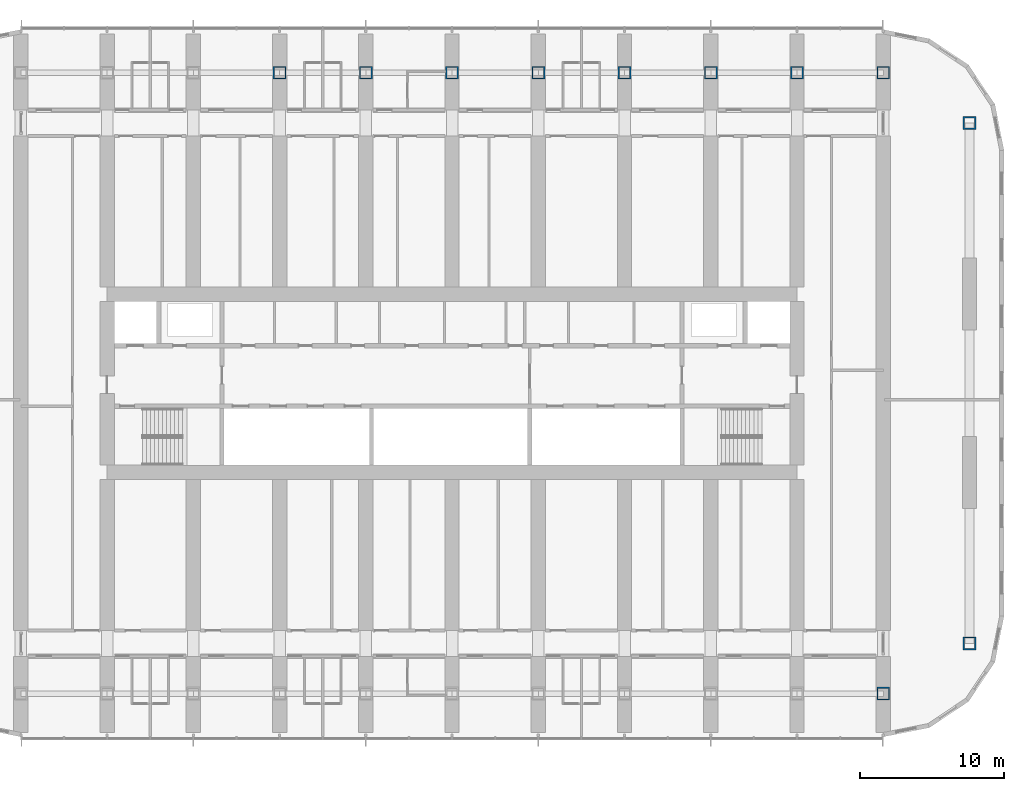
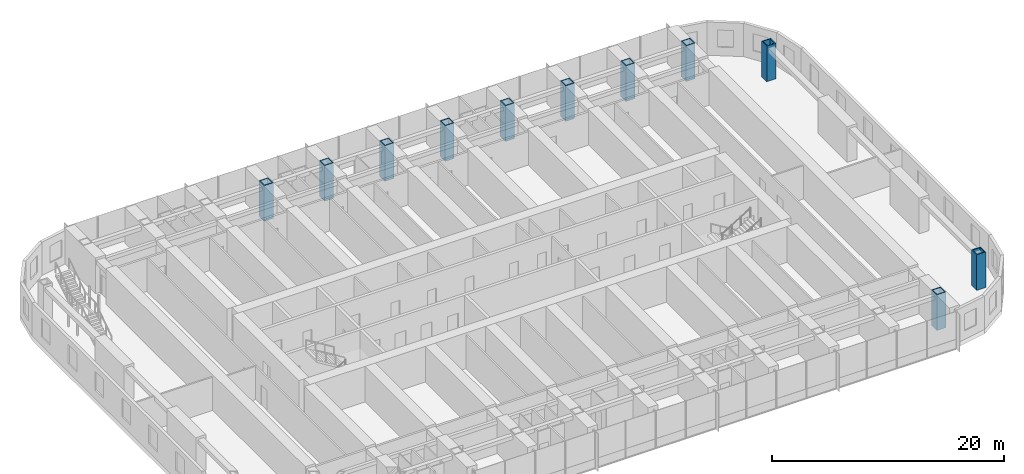
# One storey, part 3 of 26: 11 columns.
"""IFC4 building model written with IfcOpenShell, lengths in metres."""

from ifc_helpers import new_model, si_unit, direction, frame, origin, origin_2d, place, context, subcontext, project, spatial, hollow_rectangle, extrude, material, material_profile, profile_set, type_object, element, save


model = new_model("IFC4")

# Units and contexts
model_context = context("Model", 3, precision=1e-05, world=origin(), true_north=direction((0.0, 1.0)))
body_context = subcontext(model_context, "Body", "Model", "MODEL_VIEW")
ifc_project = project(units=[si_unit("LENGTHUNIT", "METRE"), si_unit("AREAUNIT", "SQUARE_METRE"), si_unit("VOLUMEUNIT", "CUBIC_METRE"), si_unit("PLANEANGLEUNIT", "RADIAN"), si_unit("MASSUNIT", "GRAM", prefix="KILO")], contexts=[model_context])

# Site, building, storey
site_placement = place(None, origin())
site = spatial("IfcSite", under=ifc_project, at=site_placement, CompositionType="ELEMENT")
building_placement = place(site_placement, origin())
building = spatial("IfcBuilding", under=site, at=building_placement, Name="Orbita Commons", CompositionType="ELEMENT")
storey_placement = place(building_placement, frame((0.0, 0.0, 53.949951171875)))
storey = spatial("IfcBuildingStorey", under=building, at=storey_placement, Name="L13", CompositionType="ELEMENT", Elevation=53.949951171875)

# Columns
ifc_material = material(Name="Steel ASTM A572 Gr 50 welded plate", Category="steel")
ifc_material_profile = material_profile(ifc_material, hollow_rectangle(XDim=0.89990234375, YDim=0.89990234375, WallThickness=0.090087890625, at=origin_2d()), Name="BOX 900x900x90")
ifc_profile_set = profile_set([ifc_material_profile], Name="Steel ASTM A572 Gr 50 welded plate")
column_type = type_object("IfcColumnType", Name="Steel column BOX 900x900x90", PredefinedType="COLUMN", material=ifc_profile_set)
for number, where, z_axis, x_axis, name in (
    (1, (30.0, 53.60009765625, 0.0), (0.0, 0.0, 1.0), (1.0, 0.0, 0.0), "Column 6/E L13"),
    (2, (36.0, 53.60009765625, 0.0), (0.0, 0.0, 1.0), (1.0, 0.0, 0.0), "Column 7/E L13"),
    (3, (42.0, 53.60009765625, 0.0), (0.0, 0.0, 1.0), (1.0, 0.0, 0.0), "Column 8/E L13"),
    (4, (48.0, 53.60009765625, 0.0), (0.0, 0.0, 1.0), (1.0, 0.0, 0.0), "Column 9/E L13"),
    (5, (54.0, 53.60009765625, 0.0), (0.0, 0.0, 1.0), (1.0, 0.0, 0.0), "Column 10/E L13"),
    (6, (60.0, 53.60009765625, 0.0), (0.0, 0.0, 1.0), (1.0, 0.0, 0.0), "Column 11/E L13"),
    (7, (66.0, 53.60009765625, 0.0), (0.0, 0.0, 1.0), (1.0, 0.0, 0.0), "Column 12/E L13"),
    (8, (72.0, 10.39990234375, 0.0), (0.0, 0.0, 1.0), (1.0, 0.0, 0.0), "Column 13/B L13"),
    (9, (72.0, 53.60009765625, 0.0), (0.0, 0.0, 1.0), (1.0, 0.0, 0.0), "Column 13/E L13"),
    (10, (78.0, 13.89990234375, 0.0), (0.0, 0.0, 1.0), (1.0, 0.0, 0.0), "Column 14/13.9 L13"),
    (11, (78.0, 50.10009765625, 0.0), (0.0, 0.0, 1.0), (1.0, 0.0, 0.0), "Column 14/50.1 L13"),
):
    element("IfcColumn", number, at=place(storey_placement, frame(where, z_axis=z_axis, x_axis=x_axis)), inside=storey, type_object=column_type, Name=name, PredefinedType="COLUMN", context=body_context, shape_type="SweptSolid", body=[
        extrude(hollow_rectangle(XDim=0.89990234375, YDim=0.89990234375, WallThickness=0.090087890625, at=origin_2d()), origin(), (0.0, 0.0, 1.0), 3.75),
    ])

save(model, "model.ifc")
